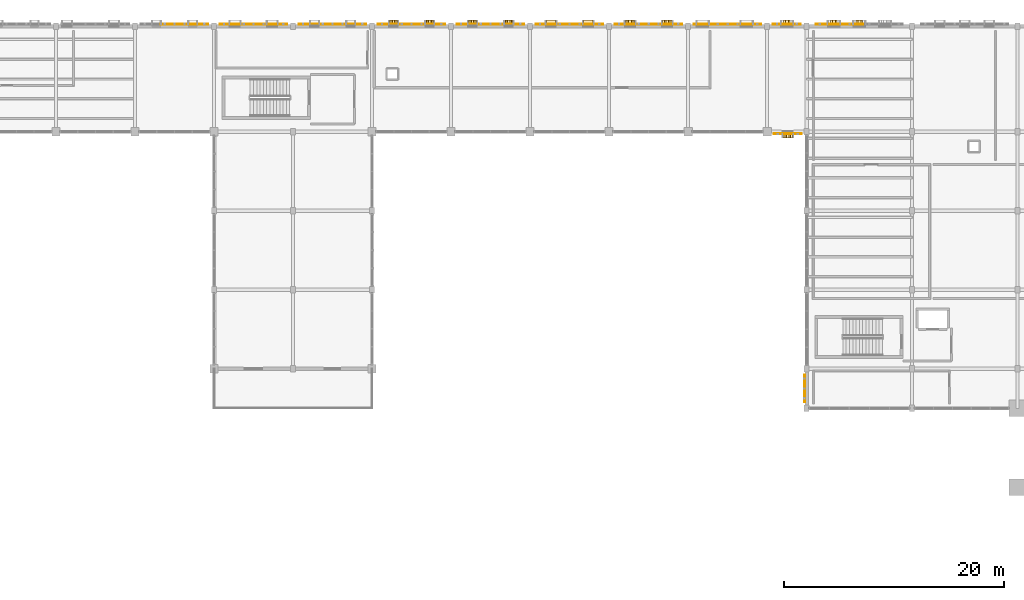
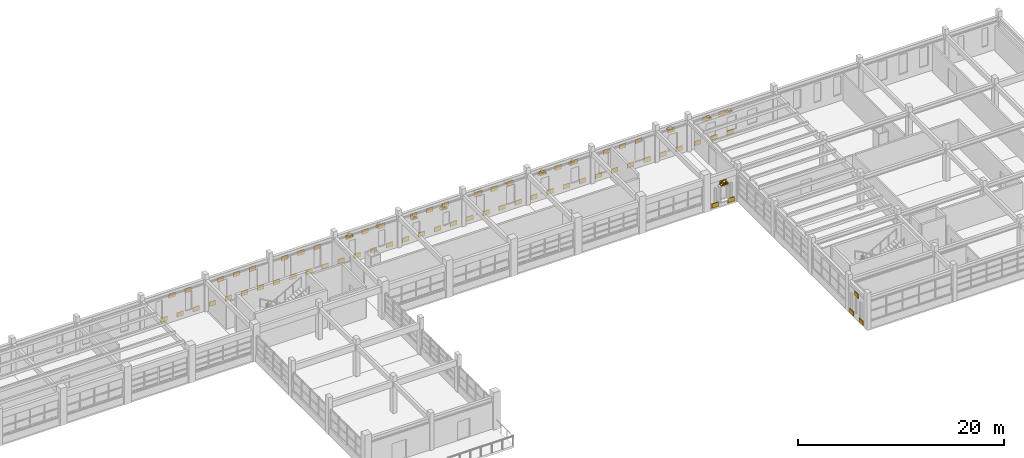
# One storey, part 67 of 69: 97 coverings.
"""IFC4 building model written with IfcOpenShell, lengths in metres."""

from ifc_helpers import new_model, si_unit, direction, frame, origin, origin_2d, place, context, subcontext, project, spatial, rectangle, extrude, material, layer, layer_set, type_object, element, save


model = new_model("IFC4")

# Units and contexts
model_context = context("Model", 3, precision=1e-05, world=origin(), true_north=direction((0.0, 1.0)))
body_context = subcontext(model_context, "Body", "Model", "MODEL_VIEW")
ifc_project = project(units=[si_unit("LENGTHUNIT", "METRE"), si_unit("AREAUNIT", "SQUARE_METRE"), si_unit("VOLUMEUNIT", "CUBIC_METRE"), si_unit("PLANEANGLEUNIT", "RADIAN"), si_unit("MASSUNIT", "GRAM", prefix="KILO")], contexts=[model_context])

# Site, building, storey
site_placement = place(None, origin())
site = spatial("IfcSite", under=ifc_project, at=site_placement, CompositionType="ELEMENT")
building_placement = place(site_placement, origin())
building = spatial("IfcBuilding", under=site, at=building_placement, Name="Nzembalo Square Collegiate School", CompositionType="ELEMENT")
storey_placement = place(building_placement, frame((0.0, 0.0, 5.10009765625)))
storey = spatial("IfcBuildingStorey", under=building, at=storey_placement, Name="L01", CompositionType="ELEMENT", Elevation=5.10009765625)

# Coverings
ifc_material_1 = material(Name="Glazed cobalt ceramic patterned tile")
ifc_layer_1 = layer(ifc_material_1, 0.074951171875, Name="Glazed cobalt ceramic patterned tile")
ifc_layer_set_1 = layer_set([ifc_layer_1], Name="Glazed cobalt ceramic patterned tile")
covering_type_1 = type_object("IfcCoveringType", Name="CL01", PredefinedType="CLADDING", material=ifc_layer_set_1)
for number, where, z_axis, x_axis, name in (
    (1, (72.300048828125, 114.1875, 0.099853515625), (0.0, 0.0, 1.0), (1.0, 0.0, 0.0), "Patterned ceramic tile CL01-X0124-2-0"),
    (2, (73.199951171875, 114.1875, 2.643798828125), (0.0, 0.0, 1.0), (1.0, 0.0, 0.0), "Patterned ceramic tile CL01-X0124-3-1"),
    (3, (74.10009765625, 114.1875, 0.099853515625), (0.0, 0.0, 1.0), (1.0, 0.0, 0.0), "Patterned ceramic tile CL01-X0124-4-0"),
    (4, (75.0, 114.1875, 2.643798828125), (0.0, 0.0, 1.0), (1.0, 0.0, 0.0), "Patterned ceramic tile CL01-X0124-5-1"),
    (5, (75.89990234375, 114.1875, 0.099853515625), (0.0, 0.0, 1.0), (1.0, 0.0, 0.0), "Patterned ceramic tile CL01-X0124-6-0"),
    (6, (77.699951171875, 114.177490234375, 0.099853515625), (0.0, 0.0, 1.0), (1.0, 0.0, 0.0), "Patterned ceramic tile CL01-X0125-0-0"),
    (7, (78.60009765625, 114.177490234375, 2.643798828125), (0.0, 0.0, 1.0), (1.0, 0.0, 0.0), "Patterned ceramic tile CL01-X0125-1-1"),
    (8, (79.5, 114.177490234375, 0.099853515625), (0.0, 0.0, 1.0), (1.0, 0.0, 0.0), "Patterned ceramic tile CL01-X0125-2-0"),
    (9, (80.39990234375, 114.177490234375, 2.643798828125), (0.0, 0.0, 1.0), (1.0, 0.0, 0.0), "Patterned ceramic tile CL01-X0125-3-1"),
    (10, (81.300048828125, 114.177490234375, 0.099853515625), (0.0, 0.0, 1.0), (1.0, 0.0, 0.0), "Patterned ceramic tile CL01-X0125-4-0"),
    (11, (82.199951171875, 114.177490234375, 2.643798828125), (0.0, 0.0, 1.0), (1.0, 0.0, 0.0), "Patterned ceramic tile CL01-X0125-5-1"),
    (12, (83.10009765625, 114.177490234375, 0.099853515625), (0.0, 0.0, 1.0), (1.0, 0.0, 0.0), "Patterned ceramic tile CL01-X0125-6-0"),
    (13, (84.89990234375, 114.1875, 0.099853515625), (0.0, 0.0, 1.0), (1.0, 0.0, 0.0), "Patterned ceramic tile CL01-X0126-0-0"),
    (14, (85.800048828125, 114.1875, 2.643798828125), (0.0, 0.0, 1.0), (1.0, 0.0, 0.0), "Patterned ceramic tile CL01-X0126-1-1"),
    (15, (86.699951171875, 114.1875, 0.099853515625), (0.0, 0.0, 1.0), (1.0, 0.0, 0.0), "Patterned ceramic tile CL01-X0126-2-0"),
    (16, (87.60009765625, 114.1875, 2.643798828125), (0.0, 0.0, 1.0), (1.0, 0.0, 0.0), "Patterned ceramic tile CL01-X0126-3-1"),
    (17, (88.5, 114.1875, 0.099853515625), (0.0, 0.0, 1.0), (1.0, 0.0, 0.0), "Patterned ceramic tile CL01-X0126-4-0"),
    (18, (89.39990234375, 114.1875, 2.643798828125), (0.0, 0.0, 1.0), (1.0, 0.0, 0.0), "Patterned ceramic tile CL01-X0126-5-1"),
    (19, (90.300048828125, 114.1875, 0.099853515625), (0.0, 0.0, 1.0), (1.0, 0.0, 0.0), "Patterned ceramic tile CL01-X0126-6-0"),
    (20, (92.10009765625, 114.177490234375, 0.099853515625), (0.0, 0.0, 1.0), (1.0, 0.0, 0.0), "Patterned ceramic tile CL01-X0127-0-0"),
    (21, (93.0, 114.177490234375, 2.643798828125), (0.0, 0.0, 1.0), (1.0, 0.0, 0.0), "Patterned ceramic tile CL01-X0127-1-1"),
    (22, (93.89990234375, 114.177490234375, 0.099853515625), (0.0, 0.0, 1.0), (1.0, 0.0, 0.0), "Patterned ceramic tile CL01-X0127-2-0"),
    (23, (94.800048828125, 114.177490234375, 2.643798828125), (0.0, 0.0, 1.0), (1.0, 0.0, 0.0), "Patterned ceramic tile CL01-X0127-3-1"),
    (24, (95.699951171875, 114.177490234375, 0.099853515625), (0.0, 0.0, 1.0), (1.0, 0.0, 0.0), "Patterned ceramic tile CL01-X0127-4-0"),
    (25, (96.60009765625, 114.177490234375, 2.643798828125), (0.0, 0.0, 1.0), (1.0, 0.0, 0.0), "Patterned ceramic tile CL01-X0127-5-1"),
    (26, (97.5, 114.177490234375, 0.099853515625), (0.0, 0.0, 1.0), (1.0, 0.0, 0.0), "Patterned ceramic tile CL01-X0127-6-0"),
    (27, (99.300048828125, 114.1875, 0.099853515625), (0.0, 0.0, 1.0), (1.0, 0.0, 0.0), "Patterned ceramic tile CL01-X0128-0-0"),
    (28, (100.199951171875, 114.1875, 2.643798828125), (0.0, 0.0, 1.0), (1.0, 0.0, 0.0), "Patterned ceramic tile CL01-X0128-1-1"),
    (29, (101.10009765625, 114.1875, 0.099853515625), (0.0, 0.0, 1.0), (1.0, 0.0, 0.0), "Patterned ceramic tile CL01-X0128-2-0"),
    (30, (102.0, 114.1875, 2.643798828125), (0.0, 0.0, 1.0), (1.0, 0.0, 0.0), "Patterned ceramic tile CL01-X0128-3-1"),
    (31, (102.89990234375, 114.1875, 0.099853515625), (0.0, 0.0, 1.0), (1.0, 0.0, 0.0), "Patterned ceramic tile CL01-X0128-4-0"),
    (32, (103.800048828125, 114.1875, 2.643798828125), (0.0, 0.0, 1.0), (1.0, 0.0, 0.0), "Patterned ceramic tile CL01-X0128-5-1"),
    (33, (104.699951171875, 114.1875, 0.099853515625), (0.0, 0.0, 1.0), (1.0, 0.0, 0.0), "Patterned ceramic tile CL01-X0128-6-0"),
    (34, (106.5, 114.177490234375, 0.099853515625), (0.0, 0.0, 1.0), (1.0, 0.0, 0.0), "Patterned ceramic tile CL01-X0129-0-0"),
    (35, (107.39990234375, 114.177490234375, 2.643798828125), (0.0, 0.0, 1.0), (1.0, 0.0, 0.0), "Patterned ceramic tile CL01-X0129-1-1"),
    (36, (108.300048828125, 114.177490234375, 0.099853515625), (0.0, 0.0, 1.0), (1.0, 0.0, 0.0), "Patterned ceramic tile CL01-X0129-2-0"),
    (37, (109.199951171875, 114.177490234375, 2.643798828125), (0.0, 0.0, 1.0), (1.0, 0.0, 0.0), "Patterned ceramic tile CL01-X0129-3-1"),
    (38, (110.10009765625, 114.177490234375, 0.099853515625), (0.0, 0.0, 1.0), (1.0, 0.0, 0.0), "Patterned ceramic tile CL01-X0129-4-0"),
    (39, (111.0, 114.177490234375, 2.643798828125), (0.0, 0.0, 1.0), (1.0, 0.0, 0.0), "Patterned ceramic tile CL01-X0129-5-1"),
    (40, (111.89990234375, 114.177490234375, 0.099853515625), (0.0, 0.0, 1.0), (1.0, 0.0, 0.0), "Patterned ceramic tile CL01-X0129-6-0"),
    (41, (113.699951171875, 114.1875, 0.099853515625), (0.0, 0.0, 1.0), (1.0, 0.0, 0.0), "Patterned ceramic tile CL01-X0130-0-0"),
    (42, (114.60009765625, 114.1875, 2.643798828125), (0.0, 0.0, 1.0), (1.0, 0.0, 0.0), "Patterned ceramic tile CL01-X0130-1-1"),
    (43, (115.5, 114.1875, 0.099853515625), (0.0, 0.0, 1.0), (1.0, 0.0, 0.0), "Patterned ceramic tile CL01-X0130-2-0"),
    (44, (116.39990234375, 114.1875, 2.643798828125), (0.0, 0.0, 1.0), (1.0, 0.0, 0.0), "Patterned ceramic tile CL01-X0130-3-1"),
    (45, (117.300048828125, 114.1875, 0.099853515625), (0.0, 0.0, 1.0), (1.0, 0.0, 0.0), "Patterned ceramic tile CL01-X0130-4-0"),
    (46, (118.199951171875, 114.1875, 2.643798828125), (0.0, 0.0, 1.0), (1.0, 0.0, 0.0), "Patterned ceramic tile CL01-X0130-5-1"),
    (47, (119.10009765625, 114.1875, 0.099853515625), (0.0, 0.0, 1.0), (1.0, 0.0, 0.0), "Patterned ceramic tile CL01-X0130-6-0"),
    (48, (120.89990234375, 114.177490234375, 0.099853515625), (0.0, 0.0, 1.0), (1.0, 0.0, 0.0), "Patterned ceramic tile CL01-X0131-0-0"),
    (49, (121.800048828125, 114.177490234375, 2.643798828125), (0.0, 0.0, 1.0), (1.0, 0.0, 0.0), "Patterned ceramic tile CL01-X0131-1-1"),
    (50, (122.699951171875, 114.177490234375, 0.099853515625), (0.0, 0.0, 1.0), (1.0, 0.0, 0.0), "Patterned ceramic tile CL01-X0131-2-0"),
    (51, (123.60009765625, 114.177490234375, 2.643798828125), (0.0, 0.0, 1.0), (1.0, 0.0, 0.0), "Patterned ceramic tile CL01-X0131-3-1"),
    (52, (124.5, 114.177490234375, 0.099853515625), (0.0, 0.0, 1.0), (1.0, 0.0, 0.0), "Patterned ceramic tile CL01-X0131-4-0"),
    (53, (125.39990234375, 114.177490234375, 2.643798828125), (0.0, 0.0, 1.0), (1.0, 0.0, 0.0), "Patterned ceramic tile CL01-X0131-5-1"),
    (54, (126.300048828125, 114.177490234375, 0.099853515625), (0.0, 0.0, 1.0), (1.0, 0.0, 0.0), "Patterned ceramic tile CL01-X0131-6-0"),
    (55, (128.10009765625, 114.1875, 0.099853515625), (0.0, 0.0, 1.0), (1.0, 0.0, 0.0), "Patterned ceramic tile CL01-X0132-0-0"),
    (56, (129.0, 114.1875, 2.643798828125), (0.0, 0.0, 1.0), (1.0, 0.0, 0.0), "Patterned ceramic tile CL01-X0132-1-1"),
    (57, (129.89990234375, 114.1875, 0.099853515625), (0.0, 0.0, 1.0), (1.0, 0.0, 0.0), "Patterned ceramic tile CL01-X0132-2-0"),
    (58, (132.0, 114.177490234375, 0.099853515625), (0.0, 0.0, 1.0), (1.0, 0.0, 0.0), "Patterned ceramic tile CL01-X0133-0-0"),
    (59, (132.89990234375, 114.177490234375, 2.643798828125), (0.0, 0.0, 1.0), (1.0, 0.0, 0.0), "Patterned ceramic tile CL01-X0133-1-1"),
    (60, (133.800048828125, 114.177490234375, 0.099853515625), (0.0, 0.0, 1.0), (1.0, 0.0, 0.0), "Patterned ceramic tile CL01-X0133-2-0"),
    (61, (134.699951171875, 114.177490234375, 2.643798828125), (0.0, 0.0, 1.0), (1.0, 0.0, 0.0), "Patterned ceramic tile CL01-X0133-3-1"),
    (62, (135.60009765625, 114.177490234375, 0.099853515625), (0.0, 0.0, 1.0), (1.0, 0.0, 0.0), "Patterned ceramic tile CL01-X0133-4-0"),
):
    element("IfcCovering", number, at=place(storey_placement, frame(where, z_axis=z_axis, x_axis=x_axis)), inside=storey, type_object=covering_type_1, Name=name, PredefinedType="CLADDING", context=body_context, shape_type="SweptSolid", body=[
        extrude(rectangle(XDim=0.739990234375, YDim=0.074951171875, at=origin_2d()), origin(), (0.0, 0.0, 1.0), 0.52001953125),
    ])
for number, where, z_axis, x_axis, name in (
    (63, (130.612548828125, 80.10009765625, 0.099853515625), (0.0, 0.0, 1.0), (1.0, 0.0, 0.0), "Patterned ceramic tile CL01-Y0142-0-0"),
    (64, (130.612548828125, 81.0, 2.703857421875), (0.0, 0.0, 1.0), (1.0, 0.0, 0.0), "Patterned ceramic tile CL01-Y0142-1-1"),
    (65, (130.612548828125, 81.89990234375, 0.099853515625), (0.0, 0.0, 1.0), (1.0, 0.0, 0.0), "Patterned ceramic tile CL01-Y0142-2-0"),
):
    element("IfcCovering", number, at=place(storey_placement, frame(where, z_axis=z_axis, x_axis=x_axis)), inside=storey, type_object=covering_type_1, Name=name, PredefinedType="CLADDING", context=body_context, shape_type="SweptSolid", body=[
        extrude(rectangle(XDim=0.074951171875, YDim=0.739990234375, at=origin_2d()), origin(), (0.0, 0.0, 1.0), 0.52001953125),
    ])
for number, where, z_axis, x_axis, name in (
    (66, (128.175048828125, 104.222412109375, 0.099853515625), (0.0, 0.0, 1.0), (1.0, 0.0, 0.0), "Patterned ceramic tile CL01-X0143-0-0"),
    (67, (129.074951171875, 104.222412109375, 2.48388671875), (0.0, 0.0, 1.0), (1.0, 0.0, 0.0), "Patterned ceramic tile CL01-X0143-1-1"),
    (68, (129.97509765625, 104.222412109375, 0.099853515625), (0.0, 0.0, 1.0), (1.0, 0.0, 0.0), "Patterned ceramic tile CL01-X0143-2-0"),
):
    element("IfcCovering", number, at=place(storey_placement, frame(where, z_axis=z_axis, x_axis=x_axis)), inside=storey, type_object=covering_type_1, Name=name, PredefinedType="CLADDING", context=body_context, shape_type="SweptSolid", body=[
        extrude(rectangle(XDim=0.739990234375, YDim=0.074951171875, at=origin_2d()), origin(), (0.0, 0.0, 1.0), 0.52001953125),
    ])
ifc_material_2 = material(Name="Glazed celadon ceramic window frame")
ifc_layer_2 = layer(ifc_material_2, 0.419921875, Name="Glazed celadon ceramic window frame")
ifc_layer_set_2 = layer_set([ifc_layer_2], Name="Glazed celadon ceramic window frame")
covering_type_2 = type_object("IfcCoveringType", Name="WF01", PredefinedType="CLADDING", material=ifc_layer_set_2)
covering_1_placement = place(storey_placement, frame((93.14599609375, 114.35498046875, 2.759765625), z_axis=(0.0, 0.0, 1.0), x_axis=(1.0, 0.0, 0.0)))
element("IfcCovering", 69, at=covering_1_placement, inside=storey, type_object=covering_type_2, Name="Pointed lancet gable WF01-0298-1", PredefinedType="CLADDING", context=body_context, shape_type="SweptSolid", body=[
    extrude(rectangle(XDim=0.721923828125, YDim=0.419921875, at=origin_2d()), origin(), (0.0, 0.0, 1.0), 0.1201171875),
])
covering_2_placement = place(storey_placement, frame((93.14599609375, 114.35498046875, 2.8798828125), z_axis=(0.0, 0.0, 1.0), x_axis=(1.0, 0.0, 0.0)))
element("IfcCovering", 70, at=covering_2_placement, inside=storey, type_object=covering_type_2, Name="Pointed lancet gable WF01-0298-2", PredefinedType="CLADDING", context=body_context, shape_type="SweptSolid", body=[
    extrude(rectangle(XDim=0.4560546875, YDim=0.419921875, at=origin_2d()), origin(), (0.0, 0.0, 1.0), 0.1201171875),
])
covering_3_placement = place(storey_placement, frame((93.14599609375, 114.35498046875, 2.999755859375), z_axis=(0.0, 0.0, 1.0), x_axis=(1.0, 0.0, 0.0)))
element("IfcCovering", 71, at=covering_3_placement, inside=storey, type_object=covering_type_2, Name="Pointed lancet gable WF01-0298-3", PredefinedType="CLADDING", context=body_context, shape_type="SweptSolid", body=[
    extrude(rectangle(XDim=0.208984375, YDim=0.419921875, at=origin_2d()), origin(), (0.0, 0.0, 1.0), 0.1201171875),
])
covering_4_placement = place(storey_placement, frame((96.4541015625, 114.35498046875, 2.759765625), z_axis=(0.0, 0.0, 1.0), x_axis=(1.0, 0.0, 0.0)))
element("IfcCovering", 72, at=covering_4_placement, inside=storey, type_object=covering_type_2, Name="Pointed lancet gable WF01-0299-1", PredefinedType="CLADDING", context=body_context, shape_type="SweptSolid", body=[
    extrude(rectangle(XDim=0.721923828125, YDim=0.419921875, at=origin_2d()), origin(), (0.0, 0.0, 1.0), 0.1201171875),
])
covering_5_placement = place(storey_placement, frame((96.4541015625, 114.35498046875, 2.8798828125), z_axis=(0.0, 0.0, 1.0), x_axis=(1.0, 0.0, 0.0)))
element("IfcCovering", 73, at=covering_5_placement, inside=storey, type_object=covering_type_2, Name="Pointed lancet gable WF01-0299-2", PredefinedType="CLADDING", context=body_context, shape_type="SweptSolid", body=[
    extrude(rectangle(XDim=0.4560546875, YDim=0.419921875, at=origin_2d()), origin(), (0.0, 0.0, 1.0), 0.1201171875),
])
covering_6_placement = place(storey_placement, frame((96.4541015625, 114.35498046875, 2.999755859375), z_axis=(0.0, 0.0, 1.0), x_axis=(1.0, 0.0, 0.0)))
element("IfcCovering", 74, at=covering_6_placement, inside=storey, type_object=covering_type_2, Name="Pointed lancet gable WF01-0299-3", PredefinedType="CLADDING", context=body_context, shape_type="SweptSolid", body=[
    extrude(rectangle(XDim=0.208984375, YDim=0.419921875, at=origin_2d()), origin(), (0.0, 0.0, 1.0), 0.1201171875),
])
covering_7_placement = place(storey_placement, frame((100.345947265625, 114.364990234375, 2.35986328125), z_axis=(0.0, 0.0, 1.0), x_axis=(1.0, 0.0, 0.0)))
element("IfcCovering", 75, at=covering_7_placement, inside=storey, type_object=covering_type_2, Name="Pointed lancet gable WF01-0300-1", PredefinedType="CLADDING", context=body_context, shape_type="SweptSolid", body=[
    extrude(rectangle(XDim=0.721923828125, YDim=0.419921875, at=origin_2d()), origin(), (0.0, 0.0, 1.0), 0.1201171875),
])
covering_8_placement = place(storey_placement, frame((100.345947265625, 114.364990234375, 2.479736328125), z_axis=(0.0, 0.0, 1.0), x_axis=(1.0, 0.0, 0.0)))
element("IfcCovering", 76, at=covering_8_placement, inside=storey, type_object=covering_type_2, Name="Pointed lancet gable WF01-0300-2", PredefinedType="CLADDING", context=body_context, shape_type="SweptSolid", body=[
    extrude(rectangle(XDim=0.4560546875, YDim=0.419921875, at=origin_2d()), origin(), (0.0, 0.0, 1.0), 0.1201171875),
])
covering_9_placement = place(storey_placement, frame((100.345947265625, 114.364990234375, 2.599853515625), z_axis=(0.0, 0.0, 1.0), x_axis=(1.0, 0.0, 0.0)))
element("IfcCovering", 77, at=covering_9_placement, inside=storey, type_object=covering_type_2, Name="Pointed lancet gable WF01-0300-3", PredefinedType="CLADDING", context=body_context, shape_type="SweptSolid", body=[
    extrude(rectangle(XDim=0.208984375, YDim=0.419921875, at=origin_2d()), origin(), (0.0, 0.0, 1.0), 0.1201171875),
])
covering_10_placement = place(storey_placement, frame((103.654052734375, 114.364990234375, 2.35986328125), z_axis=(0.0, 0.0, 1.0), x_axis=(1.0, 0.0, 0.0)))
element("IfcCovering", 78, at=covering_10_placement, inside=storey, type_object=covering_type_2, Name="Pointed lancet gable WF01-0301-1", PredefinedType="CLADDING", context=body_context, shape_type="SweptSolid", body=[
    extrude(rectangle(XDim=0.721923828125, YDim=0.419921875, at=origin_2d()), origin(), (0.0, 0.0, 1.0), 0.1201171875),
])
covering_11_placement = place(storey_placement, frame((103.654052734375, 114.364990234375, 2.479736328125), z_axis=(0.0, 0.0, 1.0), x_axis=(1.0, 0.0, 0.0)))
element("IfcCovering", 79, at=covering_11_placement, inside=storey, type_object=covering_type_2, Name="Pointed lancet gable WF01-0301-2", PredefinedType="CLADDING", context=body_context, shape_type="SweptSolid", body=[
    extrude(rectangle(XDim=0.4560546875, YDim=0.419921875, at=origin_2d()), origin(), (0.0, 0.0, 1.0), 0.1201171875),
])
covering_12_placement = place(storey_placement, frame((103.654052734375, 114.364990234375, 2.599853515625), z_axis=(0.0, 0.0, 1.0), x_axis=(1.0, 0.0, 0.0)))
element("IfcCovering", 80, at=covering_12_placement, inside=storey, type_object=covering_type_2, Name="Pointed lancet gable WF01-0301-3", PredefinedType="CLADDING", context=body_context, shape_type="SweptSolid", body=[
    extrude(rectangle(XDim=0.208984375, YDim=0.419921875, at=origin_2d()), origin(), (0.0, 0.0, 1.0), 0.1201171875),
])
for number, where, z_axis, x_axis, name in (
    (81, (107.508544921875, 114.35498046875, 3.009765625), (0.0, 0.0, 1.0), (1.0, 0.0, 0.0), "Pointed lancet gable WF01-0302-1"),
    (82, (110.8916015625, 114.35498046875, 3.009765625), (0.0, 0.0, 1.0), (1.0, 0.0, 0.0), "Pointed lancet gable WF01-0303-1"),
    (83, (114.70849609375, 114.364990234375, 2.60986328125), (0.0, 0.0, 1.0), (1.0, 0.0, 0.0), "Pointed lancet gable WF01-0304-1"),
):
    element("IfcCovering", number, at=place(storey_placement, frame(where, z_axis=z_axis, x_axis=x_axis)), inside=storey, type_object=covering_type_2, Name=name, PredefinedType="CLADDING", context=body_context, shape_type="SweptSolid", body=[
        extrude(rectangle(XDim=0.8359375, YDim=0.419921875, at=origin_2d()), origin(), (0.0, 0.0, 1.0), 0.1201171875),
    ])
covering_13_placement = place(storey_placement, frame((114.70849609375, 114.364990234375, 2.729736328125), z_axis=(0.0, 0.0, 1.0), x_axis=(1.0, 0.0, 0.0)))
element("IfcCovering", 84, at=covering_13_placement, inside=storey, type_object=covering_type_2, Name="Pointed lancet gable WF01-0304-2", PredefinedType="CLADDING", context=body_context, shape_type="SweptSolid", body=[
    extrude(rectangle(XDim=0.528076171875, YDim=0.419921875, at=origin_2d()), origin(), (0.0, 0.0, 1.0), 0.1201171875),
])
covering_14_placement = place(storey_placement, frame((114.70849609375, 114.364990234375, 2.849853515625), z_axis=(0.0, 0.0, 1.0), x_axis=(1.0, 0.0, 0.0)))
element("IfcCovering", 85, at=covering_14_placement, inside=storey, type_object=covering_type_2, Name="Pointed lancet gable WF01-0304-3", PredefinedType="CLADDING", context=body_context, shape_type="SweptSolid", body=[
    extrude(rectangle(XDim=0.241943359375, YDim=0.419921875, at=origin_2d()), origin(), (0.0, 0.0, 1.0), 0.1201171875),
])
covering_15_placement = place(storey_placement, frame((118.091552734375, 114.364990234375, 2.60986328125), z_axis=(0.0, 0.0, 1.0), x_axis=(1.0, 0.0, 0.0)))
element("IfcCovering", 86, at=covering_15_placement, inside=storey, type_object=covering_type_2, Name="Pointed lancet gable WF01-0305-1", PredefinedType="CLADDING", context=body_context, shape_type="SweptSolid", body=[
    extrude(rectangle(XDim=0.8359375, YDim=0.419921875, at=origin_2d()), origin(), (0.0, 0.0, 1.0), 0.1201171875),
])
covering_16_placement = place(storey_placement, frame((118.091552734375, 114.364990234375, 2.729736328125), z_axis=(0.0, 0.0, 1.0), x_axis=(1.0, 0.0, 0.0)))
element("IfcCovering", 87, at=covering_16_placement, inside=storey, type_object=covering_type_2, Name="Pointed lancet gable WF01-0305-2", PredefinedType="CLADDING", context=body_context, shape_type="SweptSolid", body=[
    extrude(rectangle(XDim=0.528076171875, YDim=0.419921875, at=origin_2d()), origin(), (0.0, 0.0, 1.0), 0.1201171875),
])
covering_17_placement = place(storey_placement, frame((118.091552734375, 114.364990234375, 2.849853515625), z_axis=(0.0, 0.0, 1.0), x_axis=(1.0, 0.0, 0.0)))
element("IfcCovering", 88, at=covering_17_placement, inside=storey, type_object=covering_type_2, Name="Pointed lancet gable WF01-0305-3", PredefinedType="CLADDING", context=body_context, shape_type="SweptSolid", body=[
    extrude(rectangle(XDim=0.241943359375, YDim=0.419921875, at=origin_2d()), origin(), (0.0, 0.0, 1.0), 0.1201171875),
])
covering_18_placement = place(storey_placement, frame((129.0, 114.364990234375, 2.8798828125), z_axis=(0.0, 0.0, 1.0), x_axis=(1.0, 0.0, 0.0)))
element("IfcCovering", 89, at=covering_18_placement, inside=storey, type_object=covering_type_2, Name="Pointed lancet gable WF01-0308-2", PredefinedType="CLADDING", context=body_context, shape_type="SweptSolid", body=[
    extrude(rectangle(XDim=0.60009765625, YDim=0.419921875, at=origin_2d()), origin(), (0.0, 0.0, 1.0), 0.1201171875),
])
covering_19_placement = place(storey_placement, frame((129.0, 114.364990234375, 2.999755859375), z_axis=(0.0, 0.0, 1.0), x_axis=(1.0, 0.0, 0.0)))
element("IfcCovering", 90, at=covering_19_placement, inside=storey, type_object=covering_type_2, Name="Pointed lancet gable WF01-0308-3", PredefinedType="CLADDING", context=body_context, shape_type="SweptSolid", body=[
    extrude(rectangle(XDim=0.27490234375, YDim=0.419921875, at=origin_2d()), origin(), (0.0, 0.0, 1.0), 0.1201171875),
])
covering_20_placement = place(storey_placement, frame((133.27099609375, 114.35498046875, 2.679931640625), z_axis=(0.0, 0.0, 1.0), x_axis=(1.0, 0.0, 0.0)))
element("IfcCovering", 91, at=covering_20_placement, inside=storey, type_object=covering_type_2, Name="Pointed lancet gable WF01-0309-2", PredefinedType="CLADDING", context=body_context, shape_type="SweptSolid", body=[
    extrude(rectangle(XDim=0.60009765625, YDim=0.419921875, at=origin_2d()), origin(), (0.0, 0.0, 1.0), 0.1201171875),
])
covering_21_placement = place(storey_placement, frame((133.27099609375, 114.35498046875, 2.7998046875), z_axis=(0.0, 0.0, 1.0), x_axis=(1.0, 0.0, 0.0)))
element("IfcCovering", 92, at=covering_21_placement, inside=storey, type_object=covering_type_2, Name="Pointed lancet gable WF01-0309-3", PredefinedType="CLADDING", context=body_context, shape_type="SweptSolid", body=[
    extrude(rectangle(XDim=0.27490234375, YDim=0.419921875, at=origin_2d()), origin(), (0.0, 0.0, 1.0), 0.1201171875),
])
covering_22_placement = place(storey_placement, frame((135.60009765625, 114.35498046875, 2.679931640625), z_axis=(0.0, 0.0, 1.0), x_axis=(1.0, 0.0, 0.0)))
element("IfcCovering", 93, at=covering_22_placement, inside=storey, type_object=covering_type_2, Name="Pointed lancet gable WF01-0310-2", PredefinedType="CLADDING", context=body_context, shape_type="SweptSolid", body=[
    extrude(rectangle(XDim=0.60009765625, YDim=0.419921875, at=origin_2d()), origin(), (0.0, 0.0, 1.0), 0.1201171875),
])
covering_23_placement = place(storey_placement, frame((135.60009765625, 114.35498046875, 2.7998046875), z_axis=(0.0, 0.0, 1.0), x_axis=(1.0, 0.0, 0.0)))
element("IfcCovering", 94, at=covering_23_placement, inside=storey, type_object=covering_type_2, Name="Pointed lancet gable WF01-0310-3", PredefinedType="CLADDING", context=body_context, shape_type="SweptSolid", body=[
    extrude(rectangle(XDim=0.27490234375, YDim=0.419921875, at=origin_2d()), origin(), (0.0, 0.0, 1.0), 0.1201171875),
])
covering_24_placement = place(storey_placement, frame((129.074951171875, 104.044921875, 2.60986328125), z_axis=(0.0, 0.0, 1.0), x_axis=(1.0, 0.0, 0.0)))
element("IfcCovering", 95, at=covering_24_placement, inside=storey, type_object=covering_type_2, Name="Pointed lancet gable WF01-0378-1", PredefinedType="CLADDING", context=body_context, shape_type="SweptSolid", body=[
    extrude(rectangle(XDim=0.8359375, YDim=0.419921875, at=origin_2d()), origin(), (0.0, 0.0, 1.0), 0.1201171875),
])
covering_25_placement = place(storey_placement, frame((129.074951171875, 104.044921875, 2.729736328125), z_axis=(0.0, 0.0, 1.0), x_axis=(1.0, 0.0, 0.0)))
element("IfcCovering", 96, at=covering_25_placement, inside=storey, type_object=covering_type_2, Name="Pointed lancet gable WF01-0378-2", PredefinedType="CLADDING", context=body_context, shape_type="SweptSolid", body=[
    extrude(rectangle(XDim=0.528076171875, YDim=0.419921875, at=origin_2d()), origin(), (0.0, 0.0, 1.0), 0.1201171875),
])
covering_26_placement = place(storey_placement, frame((129.074951171875, 104.044921875, 2.849853515625), z_axis=(0.0, 0.0, 1.0), x_axis=(1.0, 0.0, 0.0)))
element("IfcCovering", 97, at=covering_26_placement, inside=storey, type_object=covering_type_2, Name="Pointed lancet gable WF01-0378-3", PredefinedType="CLADDING", context=body_context, shape_type="SweptSolid", body=[
    extrude(rectangle(XDim=0.241943359375, YDim=0.419921875, at=origin_2d()), origin(), (0.0, 0.0, 1.0), 0.1201171875),
])

save(model, "model.ifc")
